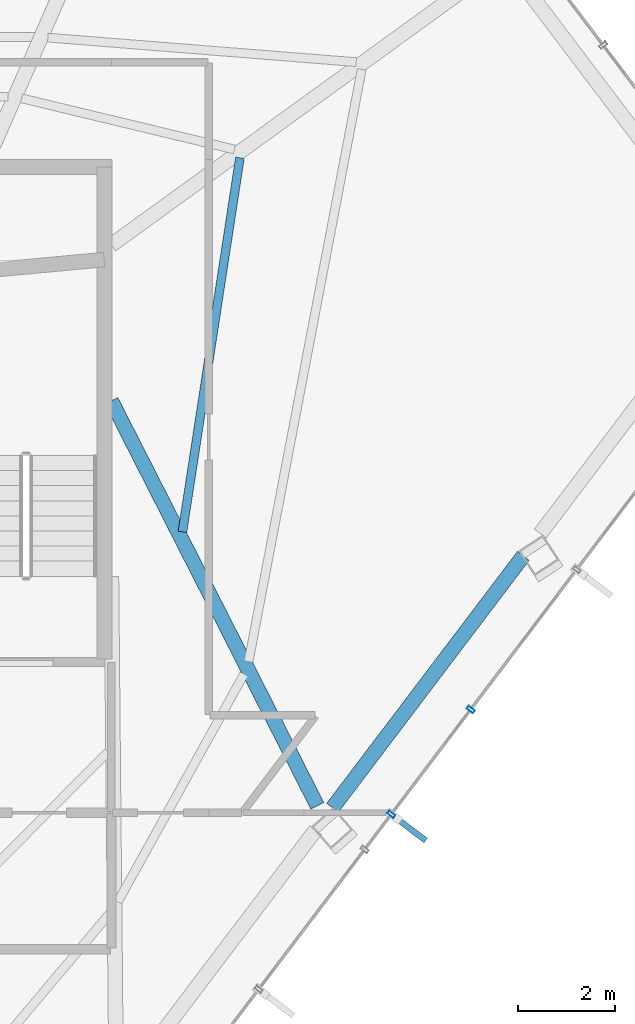
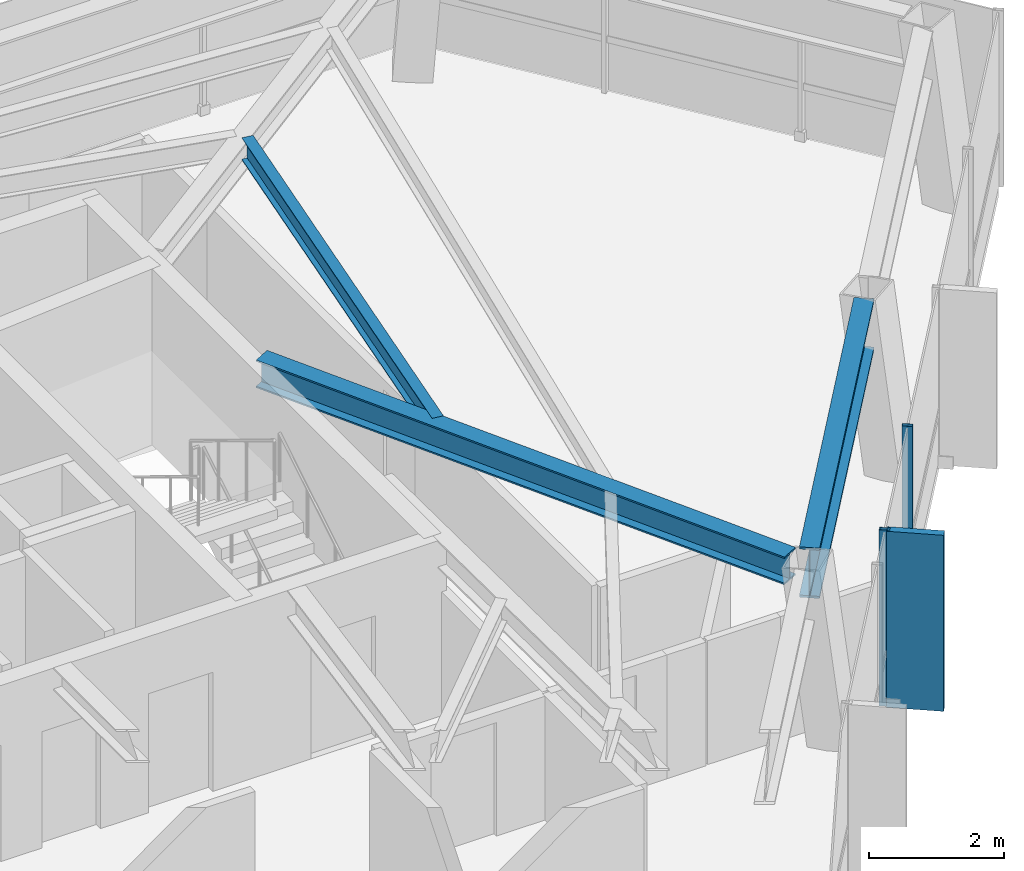
# One storey, part 18 of 27: 3 beams, 3 members, 1 element without a shape of its own.
"""IFC4 building model written with IfcOpenShell, lengths in metres."""

from ifc_helpers import new_model, si_unit, direction, frame, origin, origin_2d, place, context, subcontext, project, spatial, rectangle, hollow_rectangle, i_section, extrude, material, layer, layer_set, material_profile, profile_set, type_object, element, aggregate, save


model = new_model("IFC4")

# Units and contexts
model_context = context("Model", 3, precision=1e-05, world=origin(), true_north=direction((0.0, 1.0)))
body_context = subcontext(model_context, "Body", "Model", "MODEL_VIEW")
ifc_project = project(units=[si_unit("LENGTHUNIT", "METRE"), si_unit("AREAUNIT", "SQUARE_METRE"), si_unit("VOLUMEUNIT", "CUBIC_METRE"), si_unit("PLANEANGLEUNIT", "RADIAN"), si_unit("MASSUNIT", "GRAM", prefix="KILO")], contexts=[model_context])

# Site, building, storey
site_placement = place(None, origin())
site = spatial("IfcSite", under=ifc_project, at=site_placement, CompositionType="ELEMENT")
building_placement = place(site_placement, origin())
building = spatial("IfcBuilding", under=site, at=building_placement, Name="Zarrinselat Tower", CompositionType="ELEMENT")
storey_placement = place(building_placement, frame((0.0, 0.0, 215.56005859375)))
storey = spatial("IfcBuildingStorey", under=building, at=storey_placement, Name="L53", CompositionType="ELEMENT", Elevation=215.56005859375)

# Beams
ifc_material_1 = material(Name="Steel S355J2", Category="steel")
ifc_material_profile_1 = material_profile(ifc_material_1, i_section(OverallWidth=0.300048828125, OverallDepth=0.5, WebThickness=0.014404296875, FlangeThickness=0.028076171875, at=origin_2d()), Name="HEB 500")
ifc_profile_set_1 = profile_set([ifc_material_profile_1], Name="Steel S355J2")
beam_type_1 = type_object("IfcBeamType", Name="BM-HEB500", PredefinedType="BEAM", material=ifc_profile_set_1)
beam_1_placement = place(storey_placement, frame((48.35009765625, 38.60009765625, 2.929931640625), z_axis=(0.453404321332, -0.891304954209, 0.0), x_axis=(0.891304954209, 0.453404321332, 0.0)))
element("IfcBeam", 1, at=beam_1_placement, inside=storey, type_object=beam_type_1, Name="L53 Radial Primary Girder RG13", PredefinedType="BEAM", context=body_context, shape_type="SweptSolid", body=[
    extrude(i_section(OverallWidth=0.300048828125, OverallDepth=0.5, WebThickness=0.014404296875, FlangeThickness=0.028076171875, at=origin_2d()), origin(), (0.0, 0.0, 1.0), 9.322265625),
])
ifc_material_2 = material(Name="Steel S460M", Category="steel")
ifc_material_profile_2 = material_profile(ifc_material_2, i_section(OverallWidth=0.302001953125, OverallDepth=0.909912109375, WebThickness=0.02099609375, FlangeThickness=0.0400390625, at=origin_2d()), Name="HEM 900")
ifc_profile_set_2 = profile_set([ifc_material_profile_2], Name="Steel S460M")
beam_type_2 = type_object("IfcBeamType", Name="BM-HEM900", PredefinedType="BEAM", material=ifc_profile_set_2)
beam_2_placement = place(storey_placement, frame((52.8876953125, 30.25146484375, 2.724853515625), z_axis=(0.603854788162, 0.797094344989, 0.0), x_axis=(-0.797094344989, 0.603854788162, 0.0)))
element("IfcBeam", 2, at=beam_2_placement, inside=storey, type_object=beam_type_2, Name="L53 Perimeter Spandrel Girder SP13", PredefinedType="BEAM", context=body_context, shape_type="SweptSolid", body=[
    extrude(i_section(OverallWidth=0.302001953125, OverallDepth=0.909912109375, WebThickness=0.02099609375, FlangeThickness=0.0400390625, at=origin_2d()), origin(), (0.0, 0.0, 1.0), 6.48388671875),
])
ifc_material_3 = material(Name="Steel S355J2", Category="steel")
ifc_material_profile_3 = material_profile(ifc_material_3, i_section(OverallWidth=0.179931640625, OverallDepth=0.39990234375, WebThickness=0.008544921875, FlangeThickness=0.013427734375, at=origin_2d()), Name="IPE 400")
ifc_profile_set_3 = profile_set([ifc_material_profile_3], Name="Steel S355J2")
beam_type_3 = type_object("IfcBeamType", Name="BM-IPE400", PredefinedType="JOIST", material=ifc_profile_set_3)
beam_3_placement = place(storey_placement, frame((49.808349609375, 35.913330078125, 2.97998046875), z_axis=(0.151920153408, 0.988392769595, 0.0), x_axis=(-0.988392769595, 0.151920153408, 0.0)))
element("IfcBeam", 3, at=beam_3_placement, inside=storey, type_object=beam_type_3, Name="L53 Composite Floor Joist 5-2", PredefinedType="JOIST", context=body_context, shape_type="SweptSolid", body=[
    extrude(i_section(OverallWidth=0.179931640625, OverallDepth=0.39990234375, WebThickness=0.008544921875, FlangeThickness=0.013427734375, at=origin_2d()), origin(), (0.0, 0.0, 1.0), 7.76513671875),
])

# Curtain wall, members
ifc_material_4 = material(Name="Extruded Aluminium Alloy EN AW-6063 T6", Category="aluminium")
ifc_layer = layer(ifc_material_4, 0.169921875)
ifc_layer_set = layer_set([ifc_layer], Name="Extruded Aluminium Alloy EN AW-6063 T6")
curtain_wall_type = type_object("IfcCurtainWallType", Name="CWS-RES", PredefinedType="NOTDEFINED", material=ifc_layer_set)
curtain_wall_placement = place(storey_placement, origin())
curtain_wall = element("IfcCurtainWall", 4, at=curtain_wall_placement, inside=storey, type_object=curtain_wall_type, Name="L53 Unitised Curtain Wall CW-L53-E05", PredefinedType="NOTDEFINED")
ifc_material_5 = material(Name="Extruded Aluminium Alloy EN AW-6063 T6", Category="aluminium")
ifc_material_profile_4 = material_profile(ifc_material_5, hollow_rectangle(XDim=0.070068359375, YDim=0.159912109375, WallThickness=0.00390625, at=origin_2d()), Name="RHS 160x70x4")
ifc_profile_set_4 = profile_set([ifc_material_profile_4], Name="Extruded Aluminium Alloy EN AW-6063 T6")
member_type_1 = type_object("IfcMemberType", Name="MEM-CW-MUL2", PredefinedType="MULLION", material=ifc_profile_set_4)
member_1_placement = place(storey_placement, frame((54.093994140625, 30.11376953125, 0.0), z_axis=(0.0, 0.0, 1.0), x_axis=(0.603859492128, 0.797090781384, 0.0)))
member_1 = element("IfcMember", 5, at=member_1_placement, type_object=member_type_1, Name="CW-L53-E05 Mullion 5", PredefinedType="MULLION", context=body_context, shape_type="SweptSolid", body=[
    extrude(hollow_rectangle(XDim=0.070068359375, YDim=0.159912109375, WallThickness=0.00390625, at=origin_2d()), origin(), (0.0, 0.0, 1.0), 3.179931640625),
])
member_2_placement = place(storey_placement, frame((55.7236328125, 32.264892578125, 0.0), z_axis=(0.0, 0.0, 1.0), x_axis=(0.603859492128, 0.797090781384, 0.0)))
member_2 = element("IfcMember", 6, at=member_2_placement, type_object=member_type_1, Name="CW-L53-E05 Mullion 6", PredefinedType="MULLION", context=body_context, shape_type="SweptSolid", body=[
    extrude(hollow_rectangle(XDim=0.070068359375, YDim=0.159912109375, WallThickness=0.00390625, at=origin_2d()), origin(), (0.0, 0.0, 1.0), 3.179931640625),
])
ifc_material_6 = material(Name="Honed Cream Travertine Stone", Category="masonry")
ifc_material_profile_5 = material_profile(ifc_material_6, rectangle(XDim=0.1201171875, YDim=0.85009765625, at=origin_2d()), Name="FIN 850x120")
ifc_profile_set_5 = profile_set([ifc_material_profile_5], Name="Honed Cream Travertine Stone")
member_type_2 = type_object("IfcMemberType", Name="MEM-STONE-FIN", PredefinedType="USERDEFINED", material=ifc_profile_set_5)
member_3_placement = place(storey_placement, frame((54.460693359375, 29.8359375, 0.0), z_axis=(0.0, 0.0, 1.0), x_axis=(-0.603859492128, -0.797090781384, 0.0)))
member_3 = element("IfcMember", 7, at=member_3_placement, type_object=member_type_2, Name="L53 Stone Shading Fin CW-L53-E05-05", ObjectType="FIN", PredefinedType="USERDEFINED", context=body_context, shape_type="SweptSolid", body=[
    extrude(rectangle(XDim=0.1201171875, YDim=0.85009765625, at=origin_2d()), origin(), (0.0, 0.0, 1.0), 3.179931640625),
])
aggregate(curtain_wall, [member_1, member_3, member_2])

save(model, "model.ifc")
